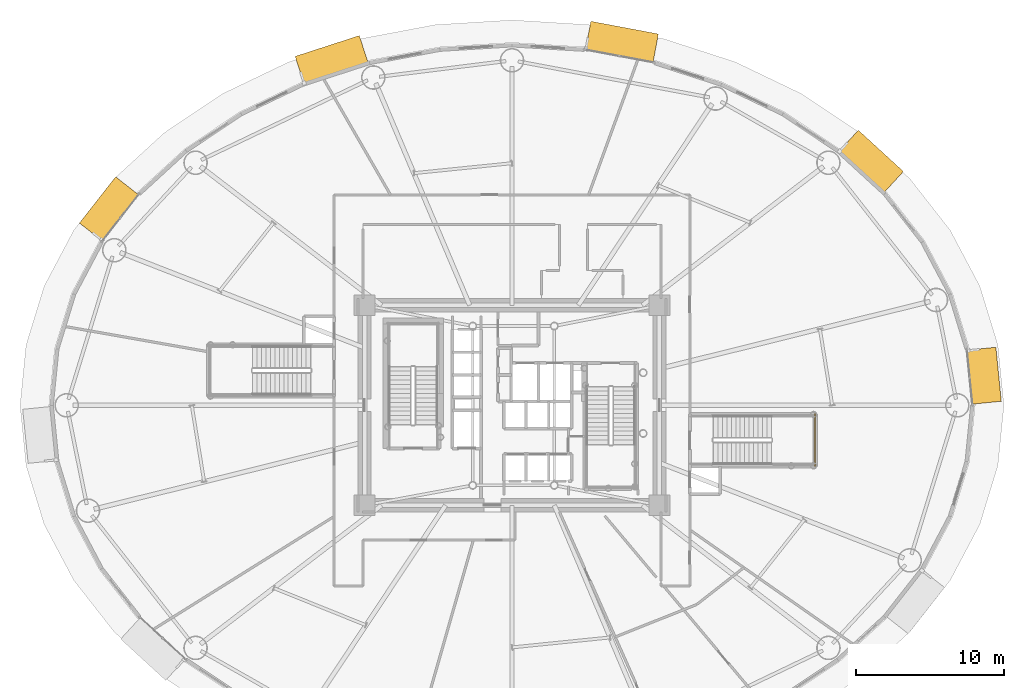
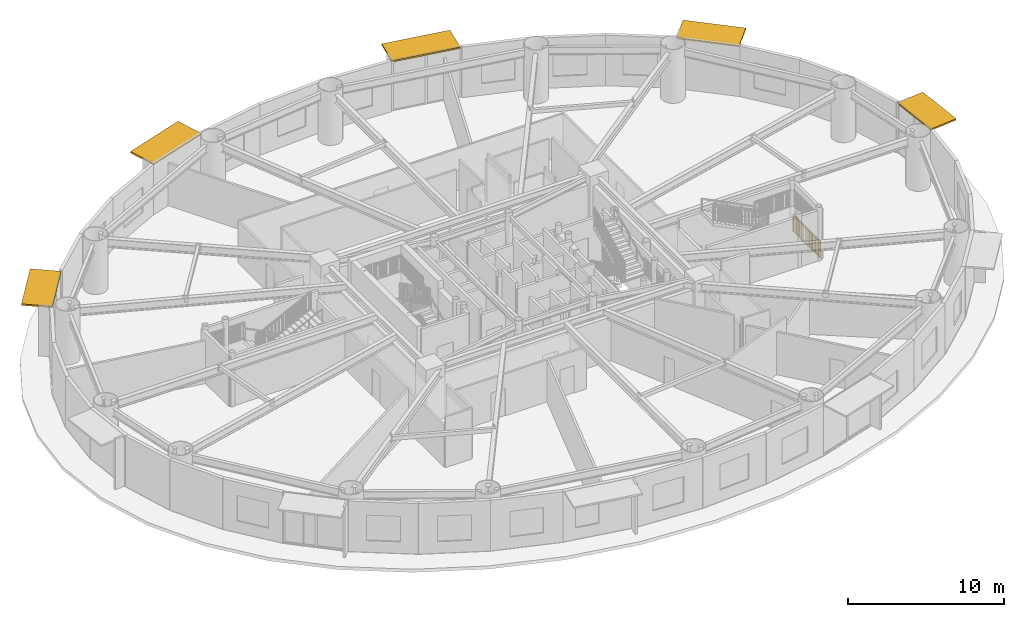
# One storey, part 35 of 35: 5 shading devices, 1 railing.
"""IFC4 building model written with IfcOpenShell, lengths in metres."""

from ifc_helpers import new_model, si_unit, direction, frame, origin, origin_2d, place, context, subcontext, project, spatial, rectangle, extrude, source, transform, mapped, material, layer, layer_set, type_object, element, save


model = new_model("IFC4")

# Units and contexts
model_context = context("Model", 3, precision=1e-05, world=origin(), true_north=direction((0.0, 1.0)))
body_context = subcontext(model_context, "Body", "Model", "MODEL_VIEW")
ifc_project = project(units=[si_unit("LENGTHUNIT", "METRE"), si_unit("AREAUNIT", "SQUARE_METRE"), si_unit("VOLUMEUNIT", "CUBIC_METRE"), si_unit("PLANEANGLEUNIT", "RADIAN"), si_unit("MASSUNIT", "GRAM", prefix="KILO")], contexts=[model_context])

# Site, building, storey
site_placement = place(None, origin())
site = spatial("IfcSite", under=ifc_project, at=site_placement, CompositionType="ELEMENT")
building_placement = place(site_placement, origin())
building = spatial("IfcBuilding", under=site, at=building_placement, Name="Linh Dai School and Residence Tower", CompositionType="ELEMENT")
storey_placement = place(building_placement, frame((0.0, 0.0, 32.39990234375)))
storey = spatial("IfcBuildingStorey", under=building, at=storey_placement, Name="L07", CompositionType="ELEMENT", Elevation=32.39990234375)

# Shading devices
ifc_material_1 = material(Name="Terracotta Ceramic Sunshade", Category="masonry")
ifc_layer = layer(ifc_material_1, 0.1201171875)
ifc_layer_set = layer_set([ifc_layer], Name="Terracotta Ceramic Sunshade")
shading_device_type = type_object("IfcShadingDeviceType", Name="SHD-TC-2000", PredefinedType="USERDEFINED", material=ifc_layer_set)
shared_shape_1 = source(origin(), body_context, "Body", "SweptSolid", [
    extrude(rectangle(XDim=3.663330078125, YDim=2.0, at=origin_2d()), origin(), (0.0, 0.0, 1.0), 0.1201171875),
])
shading_device_1_placement = place(storey_placement, frame((67.83935546875, 28.994384765625, 3.81005859375), z_axis=(0.0, 0.0, 1.0), x_axis=(0.100009387998, -0.994986493533, 0.0)))
element("IfcShadingDevice", 1, at=shading_device_1_placement, inside=storey, type_object=shading_device_type, Name="L07 Terracotta Horizontal Sunshade Band 01", ObjectType="SUNSHADE", PredefinedType="USERDEFINED", context=body_context, shape_type="MappedRepresentation", body=[
    mapped(shared_shape_1, transform((0.0, 0.0, 0.0), x_axis=(1.0, 0.0, 0.0), y_axis=(0.0, 1.0, 0.0), z_axis=(0.0, 0.0, 1.0), scale=1.0)),
])
shared_shape_2 = source(origin(), body_context, "Body", "SweptSolid", [
    extrude(rectangle(XDim=4.1220703125, YDim=2.0, at=origin_2d()), origin(), (0.0, 0.0, 1.0), 0.1201171875),
])
shading_device_2_placement = place(storey_placement, frame((60.2158203125, 43.43310546875, 3.81005859375), z_axis=(0.0, 0.0, 1.0), x_axis=(0.737113246362, -0.675769237268, 0.0)))
element("IfcShadingDevice", 2, at=shading_device_2_placement, inside=storey, type_object=shading_device_type, Name="L07 Terracotta Horizontal Sunshade Band 05", ObjectType="SUNSHADE", PredefinedType="USERDEFINED", context=body_context, shape_type="MappedRepresentation", body=[
    mapped(shared_shape_2, transform((0.0, 0.0, 0.0), x_axis=(1.0, 0.0, 0.0), y_axis=(0.0, 1.0, 0.0), z_axis=(0.0, 0.0, 1.0), scale=1.0)),
])
shared_shape_3 = source(origin(), body_context, "Body", "SweptSolid", [
    extrude(rectangle(XDim=4.635009765625, YDim=2.0, at=origin_2d()), origin(), (0.0, 0.0, 1.0), 0.1201171875),
])
shading_device_3_placement = place(storey_placement, frame((43.415283203125, 51.502685546875, 3.81005859375), z_axis=(0.0, 0.0, 1.0), x_axis=(0.982785935675, -0.184747948944, 0.0)))
element("IfcShadingDevice", 3, at=shading_device_3_placement, inside=storey, type_object=shading_device_type, Name="L07 Terracotta Horizontal Sunshade Band 09", ObjectType="SUNSHADE", PredefinedType="USERDEFINED", context=body_context, shape_type="MappedRepresentation", body=[
    mapped(shared_shape_3, transform((0.0, 0.0, 0.0), x_axis=(1.0, 0.0, 0.0), y_axis=(0.0, 1.0, 0.0), z_axis=(0.0, 0.0, 1.0), scale=1.0)),
])
shared_shape_4 = source(origin(), body_context, "Body", "SweptSolid", [
    extrude(rectangle(XDim=4.54931640625, YDim=2.0, at=origin_2d()), origin(), (0.0, 0.0, 1.0), 0.1201171875),
])
shading_device_4_placement = place(storey_placement, frame((23.839599609375, 50.29541015625, 3.81005859375), z_axis=(0.0, 0.0, 1.0), x_axis=(0.951220777043, 0.308510993844, 0.0)))
element("IfcShadingDevice", 4, at=shading_device_4_placement, inside=storey, type_object=shading_device_type, Name="L07 Terracotta Horizontal Sunshade Band 13", ObjectType="SUNSHADE", PredefinedType="USERDEFINED", context=body_context, shape_type="MappedRepresentation", body=[
    mapped(shared_shape_4, transform((0.0, 0.0, 0.0), x_axis=(1.0, 0.0, 0.0), y_axis=(0.0, 1.0, 0.0), z_axis=(0.0, 0.0, 1.0), scale=1.0)),
])
shared_shape_5 = source(origin(), body_context, "Body", "SweptSolid", [
    extrude(rectangle(XDim=3.964111328125, YDim=2.0, at=origin_2d()), origin(), (0.0, 0.0, 1.0), 0.1201171875),
])
shading_device_5_placement = place(storey_placement, frame((8.82177734375, 40.240478515625, 3.81005859375), z_axis=(0.0, 0.0, 1.0), x_axis=(0.616319427785, 0.787496262172, 0.0)))
element("IfcShadingDevice", 5, at=shading_device_5_placement, inside=storey, type_object=shading_device_type, Name="L07 Terracotta Horizontal Sunshade Band 17", ObjectType="SUNSHADE", PredefinedType="USERDEFINED", context=body_context, shape_type="MappedRepresentation", body=[
    mapped(shared_shape_5, transform((0.0, 0.0, 0.0), x_axis=(1.0, 0.0, 0.0), y_axis=(0.0, 1.0, 0.0), z_axis=(0.0, 0.0, 1.0), scale=1.0)),
])

# Railing
ifc_material_2 = material(Name="Structural Steel S355JR", Category="steel")
railing_type = type_object("IfcRailingType", Name="RL-ST-GUARD-1400", PredefinedType="GUARDRAIL", material=ifc_material_2)
shared_shape_6 = source(origin(), body_context, "Body", "SweptSolid", [
    extrude(rectangle(XDim=0.048095703125, YDim=0.048095703125, at=origin_2d()), frame((0.0, 0.0, 1.3759765625), z_axis=(0.0, 1.0, 0.0), x_axis=(-1.0, 0.0, 0.0)), (0.0, 0.0, 1.0), 3.5),
    extrude(rectangle(XDim=0.048095703125, YDim=0.048095703125, at=origin_2d()), frame((0.0, 0.0, 0.10009765625), z_axis=(0.0, 1.0, 0.0), x_axis=(-1.0, 0.0, 0.0)), (0.0, 0.0, 1.0), 3.5),
    extrude(rectangle(XDim=0.030029296875, YDim=0.030029296875, at=origin_2d()), frame((0.0, 0.0, 1.239990234375), z_axis=(0.0, 1.0, 0.0), x_axis=(-1.0, 0.0, 0.0)), (0.0, 0.0, 1.0), 3.5),
    extrude(rectangle(XDim=0.02001953125, YDim=0.02001953125, at=origin_2d()), frame((0.0, 0.09716796875, 0.10009765625)), (0.0, 0.0, 1.0), 1.251708984375),
    extrude(rectangle(XDim=0.02001953125, YDim=0.02001953125, at=origin_2d()), frame((0.0, 0.1943359375, 0.10009765625)), (0.0, 0.0, 1.0), 1.251708984375),
    extrude(rectangle(XDim=0.02001953125, YDim=0.02001953125, at=origin_2d()), frame((0.0, 0.291748046875, 0.10009765625)), (0.0, 0.0, 1.0), 1.251708984375),
    extrude(rectangle(XDim=0.02001953125, YDim=0.02001953125, at=origin_2d()), frame((0.0, 0.388916015625, 0.10009765625)), (0.0, 0.0, 1.0), 1.251708984375),
    extrude(rectangle(XDim=0.02001953125, YDim=0.02001953125, at=origin_2d()), frame((0.0, 0.486083984375, 0.10009765625)), (0.0, 0.0, 1.0), 1.251708984375),
    extrude(rectangle(XDim=0.02001953125, YDim=0.02001953125, at=origin_2d()), frame((0.0, 0.583251953125, 0.10009765625)), (0.0, 0.0, 1.0), 1.251708984375),
    extrude(rectangle(XDim=0.02001953125, YDim=0.02001953125, at=origin_2d()), frame((0.0, 0.6806640625, 0.10009765625)), (0.0, 0.0, 1.0), 1.251708984375),
    extrude(rectangle(XDim=0.02001953125, YDim=0.02001953125, at=origin_2d()), frame((0.0, 0.77783203125, 0.10009765625)), (0.0, 0.0, 1.0), 1.251708984375),
    extrude(rectangle(XDim=0.02001953125, YDim=0.02001953125, at=origin_2d()), frame((0.0, 0.875, 0.10009765625)), (0.0, 0.0, 1.0), 1.251708984375),
    extrude(rectangle(XDim=0.02001953125, YDim=0.02001953125, at=origin_2d()), frame((0.0, 0.97216796875, 0.10009765625)), (0.0, 0.0, 1.0), 1.251708984375),
    extrude(rectangle(XDim=0.02001953125, YDim=0.02001953125, at=origin_2d()), frame((0.0, 1.0693359375, 0.10009765625)), (0.0, 0.0, 1.0), 1.251708984375),
    extrude(rectangle(XDim=0.02001953125, YDim=0.02001953125, at=origin_2d()), frame((0.0, 1.263916015625, 0.10009765625)), (0.0, 0.0, 1.0), 1.251708984375),
    extrude(rectangle(XDim=0.02001953125, YDim=0.02001953125, at=origin_2d()), frame((0.0, 1.361083984375, 0.10009765625)), (0.0, 0.0, 1.0), 1.251708984375),
    extrude(rectangle(XDim=0.02001953125, YDim=0.02001953125, at=origin_2d()), frame((0.0, 1.458251953125, 0.10009765625)), (0.0, 0.0, 1.0), 1.251708984375),
    extrude(rectangle(XDim=0.02001953125, YDim=0.02001953125, at=origin_2d()), frame((0.0, 1.5556640625, 0.10009765625)), (0.0, 0.0, 1.0), 1.251708984375),
    extrude(rectangle(XDim=0.02001953125, YDim=0.02001953125, at=origin_2d()), frame((0.0, 1.65283203125, 0.10009765625)), (0.0, 0.0, 1.0), 1.251708984375),
    extrude(rectangle(XDim=0.02001953125, YDim=0.02001953125, at=origin_2d()), frame((0.0, 1.75, 0.10009765625)), (0.0, 0.0, 1.0), 1.251708984375),
    extrude(rectangle(XDim=0.02001953125, YDim=0.02001953125, at=origin_2d()), frame((0.0, 1.84716796875, 0.10009765625)), (0.0, 0.0, 1.0), 1.251708984375),
    extrude(rectangle(XDim=0.02001953125, YDim=0.02001953125, at=origin_2d()), frame((0.0, 1.9443359375, 0.10009765625)), (0.0, 0.0, 1.0), 1.251708984375),
    extrude(rectangle(XDim=0.02001953125, YDim=0.02001953125, at=origin_2d()), frame((0.0, 2.041748046875, 0.10009765625)), (0.0, 0.0, 1.0), 1.251708984375),
    extrude(rectangle(XDim=0.02001953125, YDim=0.02001953125, at=origin_2d()), frame((0.0, 2.138916015625, 0.10009765625)), (0.0, 0.0, 1.0), 1.251708984375),
    extrude(rectangle(XDim=0.02001953125, YDim=0.02001953125, at=origin_2d()), frame((0.0, 2.236083984375, 0.10009765625)), (0.0, 0.0, 1.0), 1.251708984375),
    extrude(rectangle(XDim=0.02001953125, YDim=0.02001953125, at=origin_2d()), frame((0.0, 2.4306640625, 0.10009765625)), (0.0, 0.0, 1.0), 1.251708984375),
    extrude(rectangle(XDim=0.02001953125, YDim=0.02001953125, at=origin_2d()), frame((0.0, 2.52783203125, 0.10009765625)), (0.0, 0.0, 1.0), 1.251708984375),
    extrude(rectangle(XDim=0.02001953125, YDim=0.02001953125, at=origin_2d()), frame((0.0, 2.625, 0.10009765625)), (0.0, 0.0, 1.0), 1.251708984375),
    extrude(rectangle(XDim=0.02001953125, YDim=0.02001953125, at=origin_2d()), frame((0.0, 2.72216796875, 0.10009765625)), (0.0, 0.0, 1.0), 1.251708984375),
    extrude(rectangle(XDim=0.02001953125, YDim=0.02001953125, at=origin_2d()), frame((0.0, 2.8193359375, 0.10009765625)), (0.0, 0.0, 1.0), 1.251708984375),
    extrude(rectangle(XDim=0.02001953125, YDim=0.02001953125, at=origin_2d()), frame((0.0, 2.916748046875, 0.10009765625)), (0.0, 0.0, 1.0), 1.251708984375),
    extrude(rectangle(XDim=0.02001953125, YDim=0.02001953125, at=origin_2d()), frame((0.0, 3.013916015625, 0.10009765625)), (0.0, 0.0, 1.0), 1.251708984375),
    extrude(rectangle(XDim=0.02001953125, YDim=0.02001953125, at=origin_2d()), frame((0.0, 3.111083984375, 0.10009765625)), (0.0, 0.0, 1.0), 1.251708984375),
    extrude(rectangle(XDim=0.02001953125, YDim=0.02001953125, at=origin_2d()), frame((0.0, 3.208251953125, 0.10009765625)), (0.0, 0.0, 1.0), 1.251708984375),
    extrude(rectangle(XDim=0.02001953125, YDim=0.02001953125, at=origin_2d()), frame((0.0, 3.3056640625, 0.10009765625)), (0.0, 0.0, 1.0), 1.251708984375),
    extrude(rectangle(XDim=0.02001953125, YDim=0.02001953125, at=origin_2d()), frame((0.0, 3.40283203125, 0.10009765625)), (0.0, 0.0, 1.0), 1.251708984375),
    extrude(rectangle(XDim=0.0419921875, YDim=0.0419921875, at=origin_2d()), origin(), (0.0, 0.0, 1.0), 1.3759765625),
    extrude(rectangle(XDim=0.0419921875, YDim=0.0419921875, at=origin_2d()), frame((0.0, 1.166748046875, 0.0)), (0.0, 0.0, 1.0), 1.3759765625),
    extrude(rectangle(XDim=0.0419921875, YDim=0.0419921875, at=origin_2d()), frame((0.0, 2.333251953125, 0.0)), (0.0, 0.0, 1.0), 1.3759765625),
    extrude(rectangle(XDim=0.0419921875, YDim=0.0419921875, at=origin_2d()), frame((0.0, 3.5, 0.0)), (0.0, 0.0, 1.0), 1.3759765625),
])
railing_placement = place(storey_placement, frame((56.449951171875, 22.89990234375, 0.0)))
element("IfcRailing", 6, at=railing_placement, inside=storey, type_object=railing_type, Name="L07 STS2 stair guard 12", PredefinedType="GUARDRAIL", context=body_context, shape_type="MappedRepresentation", body=[
    mapped(shared_shape_6, transform((0.0, 0.0, 0.0), x_axis=(1.0, 0.0, 0.0), y_axis=(0.0, 1.0, 0.0), z_axis=(0.0, 0.0, 1.0), scale=1.0)),
])

save(model, "model.ifc")
